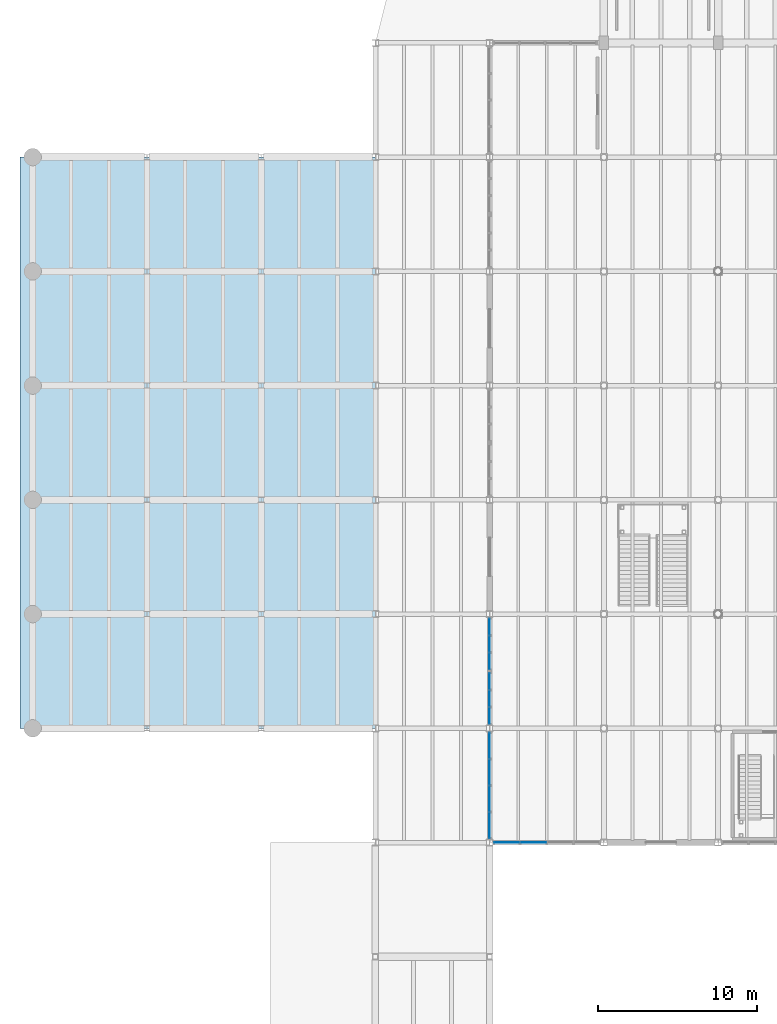
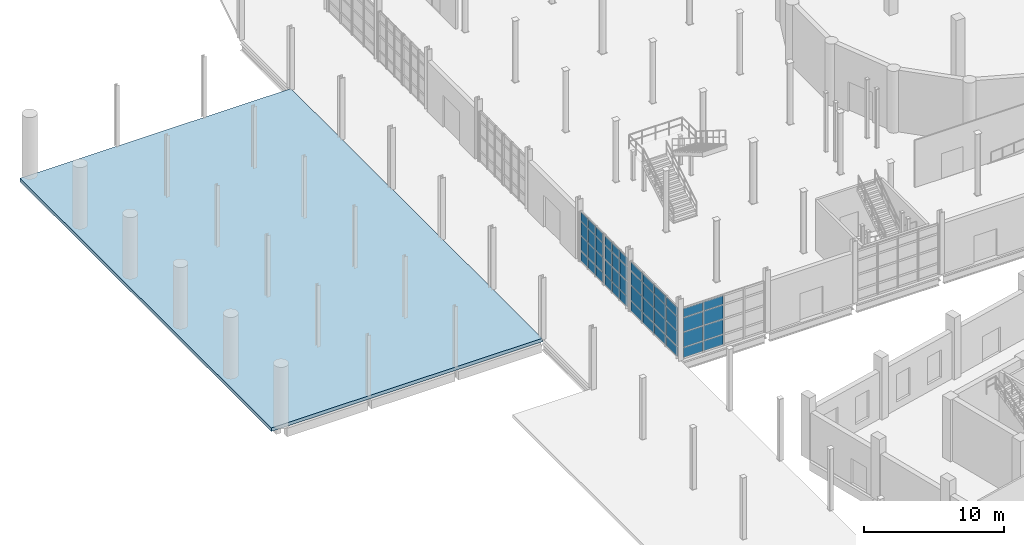
# One storey, part 48 of 79: 48 plates, 1 slab, 4 elements without a shape of their own.
"""IFC4 building model written with IfcOpenShell, lengths in metres."""

from ifc_helpers import new_model, si_unit, direction, frame, frame_2d, origin, place, context, subcontext, project, spatial, polyline, rectangle, outline, extrude, material, layer, layer_set, type_object, element, aggregate, save


model = new_model("IFC4")

# Units and contexts
model_context = context("Model", 3, precision=1e-05, world=origin(), true_north=direction((0.0, 1.0)))
body_context = subcontext(model_context, "Body", "Model", "MODEL_VIEW")
ifc_project = project(units=[si_unit("LENGTHUNIT", "METRE"), si_unit("AREAUNIT", "SQUARE_METRE"), si_unit("VOLUMEUNIT", "CUBIC_METRE"), si_unit("PLANEANGLEUNIT", "RADIAN"), si_unit("MASSUNIT", "GRAM", prefix="KILO")], contexts=[model_context])

# Site, building, storey
site_placement = place(None, origin())
site = spatial("IfcSite", under=ifc_project, at=site_placement, CompositionType="ELEMENT")
building_placement = place(site_placement, origin())
building = spatial("IfcBuilding", under=site, at=building_placement, Name="Qiaolan Assembly House", CompositionType="ELEMENT")
storey_placement = place(building_placement, origin())
storey = spatial("IfcBuildingStorey", under=building, at=storey_placement, Name="L00", CompositionType="ELEMENT", Elevation=0.0)

# Curtain wall, plates
ifc_material_1 = material(Name="Anodised bronze aluminium", Category="aluminium")
curtain_wall_type = type_object("IfcCurtainWallType", Name="CW-HALL-MAIN-540", PredefinedType="NOTDEFINED", material=ifc_material_1)
curtain_wall_1_placement = place(storey_placement, origin())
curtain_wall_1 = element("IfcCurtainWall", 1, at=curtain_wall_1_placement, inside=storey, type_object=curtain_wall_type, Name="CW-01 Hall West facade L00-0", PredefinedType="NOTDEFINED")
ifc_material_2 = material(Name="Low-E double insulating glass", Category="glass")
ifc_layer_1 = layer(ifc_material_2, 0.035888671875)
ifc_layer_set_1 = layer_set([ifc_layer_1], Name="Low-E double insulating glass")
plate_type = type_object("IfcPlateType", Name="CW-HALL-MAIN-540-PNL", PredefinedType="CURTAIN_PANEL", material=ifc_layer_set_1)
plate_1_placement = place(storey_placement, frame((28.800048828125, 36.2880859375, 0.06298828125), z_axis=(0.0, 0.0, 1.0), x_axis=(0.0, 1.0, 0.0)))
plate_1 = element("IfcPlate", 2, at=plate_1_placement, type_object=plate_type, Name="GL-01 glazing panel CW-HALL-W-L00-0-1", PredefinedType="CURTAIN_PANEL", context=body_context, shape_type="SweptSolid", body=[
    extrude(rectangle(XDim=1.598876953125, YDim=0.035888671875, at=frame_2d((0.79931640625, 0.0))), origin(), (0.0, 0.0, 1.0), 0.85400390625),
])
plate_2_placement = place(storey_placement, frame((28.800048828125, 36.2880859375, 0.98291015625), z_axis=(0.0, 0.0, 1.0), x_axis=(0.0, 1.0, 0.0)))
plate_2 = element("IfcPlate", 3, at=plate_2_placement, type_object=plate_type, Name="GL-01 glazing panel CW-HALL-W-L00-0-2", PredefinedType="CURTAIN_PANEL", context=body_context, shape_type="SweptSolid", body=[
    extrude(rectangle(XDim=1.598876953125, YDim=0.035888671875, at=frame_2d((0.79931640625, 0.0))), origin(), (0.0, 0.0, 1.0), 1.27197265625),
])
plate_3_placement = place(storey_placement, frame((28.800048828125, 36.2880859375, 2.321044921875), z_axis=(0.0, 0.0, 1.0), x_axis=(0.0, 1.0, 0.0)))
plate_3 = element("IfcPlate", 4, at=plate_3_placement, type_object=plate_type, Name="GL-01 glazing panel CW-HALL-W-L00-0-3", PredefinedType="CURTAIN_PANEL", context=body_context, shape_type="SweptSolid", body=[
    extrude(rectangle(XDim=1.598876953125, YDim=0.035888671875, at=frame_2d((0.79931640625, 0.0))), origin(), (0.0, 0.0, 1.0), 1.196044921875),
])
plate_4_placement = place(storey_placement, frame((28.800048828125, 36.2880859375, 3.5830078125), z_axis=(0.0, 0.0, 1.0), x_axis=(0.0, 1.0, 0.0)))
plate_4 = element("IfcPlate", 5, at=plate_4_placement, type_object=plate_type, Name="GL-01 glazing panel CW-HALL-W-L00-0-4", PredefinedType="CURTAIN_PANEL", context=body_context, shape_type="SweptSolid", body=[
    extrude(rectangle(XDim=1.598876953125, YDim=0.035888671875, at=frame_2d((0.79931640625, 0.0))), origin(), (0.0, 0.0, 1.0), 0.75390625),
])
plate_5_placement = place(storey_placement, frame((28.800048828125, 37.962890625, 0.06298828125), z_axis=(0.0, 0.0, 1.0), x_axis=(0.0, 1.0, 0.0)))
plate_5 = element("IfcPlate", 6, at=plate_5_placement, type_object=plate_type, Name="GL-01 glazing panel CW-HALL-W-L00-0-5", PredefinedType="CURTAIN_PANEL", context=body_context, shape_type="SweptSolid", body=[
    extrude(rectangle(XDim=1.59912109375, YDim=0.035888671875, at=frame_2d((0.799560546875, 0.0))), origin(), (0.0, 0.0, 1.0), 0.85400390625),
])
plate_6_placement = place(storey_placement, frame((28.800048828125, 37.962890625, 0.98291015625), z_axis=(0.0, 0.0, 1.0), x_axis=(0.0, 1.0, 0.0)))
plate_6 = element("IfcPlate", 7, at=plate_6_placement, type_object=plate_type, Name="GL-01 glazing panel CW-HALL-W-L00-0-6", PredefinedType="CURTAIN_PANEL", context=body_context, shape_type="SweptSolid", body=[
    extrude(rectangle(XDim=1.59912109375, YDim=0.035888671875, at=frame_2d((0.799560546875, 0.0))), origin(), (0.0, 0.0, 1.0), 1.27197265625),
])
plate_7_placement = place(storey_placement, frame((28.800048828125, 37.962890625, 2.321044921875), z_axis=(0.0, 0.0, 1.0), x_axis=(0.0, 1.0, 0.0)))
plate_7 = element("IfcPlate", 8, at=plate_7_placement, type_object=plate_type, Name="GL-01 glazing panel CW-HALL-W-L00-0-7", PredefinedType="CURTAIN_PANEL", context=body_context, shape_type="SweptSolid", body=[
    extrude(rectangle(XDim=1.59912109375, YDim=0.035888671875, at=frame_2d((0.799560546875, 0.0))), origin(), (0.0, 0.0, 1.0), 1.196044921875),
])
plate_8_placement = place(storey_placement, frame((28.800048828125, 37.962890625, 3.5830078125), z_axis=(0.0, 0.0, 1.0), x_axis=(0.0, 1.0, 0.0)))
plate_8 = element("IfcPlate", 9, at=plate_8_placement, type_object=plate_type, Name="GL-01 glazing panel CW-HALL-W-L00-0-8", PredefinedType="CURTAIN_PANEL", context=body_context, shape_type="SweptSolid", body=[
    extrude(rectangle(XDim=1.59912109375, YDim=0.035888671875, at=frame_2d((0.799560546875, 0.0))), origin(), (0.0, 0.0, 1.0), 0.75390625),
])
plate_9_placement = place(storey_placement, frame((28.800048828125, 39.637939453125, 0.06298828125), z_axis=(0.0, 0.0, 1.0), x_axis=(0.0, 1.0, 0.0)))
plate_9 = element("IfcPlate", 10, at=plate_9_placement, type_object=plate_type, Name="GL-01 glazing panel CW-HALL-W-L00-0-9", PredefinedType="CURTAIN_PANEL", context=body_context, shape_type="SweptSolid", body=[
    extrude(rectangle(XDim=1.59912109375, YDim=0.035888671875, at=frame_2d((0.799560546875, 0.0))), origin(), (0.0, 0.0, 1.0), 0.85400390625),
])
plate_10_placement = place(storey_placement, frame((28.800048828125, 39.637939453125, 0.98291015625), z_axis=(0.0, 0.0, 1.0), x_axis=(0.0, 1.0, 0.0)))
plate_10 = element("IfcPlate", 11, at=plate_10_placement, type_object=plate_type, Name="GL-01 glazing panel CW-HALL-W-L00-0-10", PredefinedType="CURTAIN_PANEL", context=body_context, shape_type="SweptSolid", body=[
    extrude(rectangle(XDim=1.59912109375, YDim=0.035888671875, at=frame_2d((0.799560546875, 0.0))), origin(), (0.0, 0.0, 1.0), 1.27197265625),
])
plate_11_placement = place(storey_placement, frame((28.800048828125, 39.637939453125, 2.321044921875), z_axis=(0.0, 0.0, 1.0), x_axis=(0.0, 1.0, 0.0)))
plate_11 = element("IfcPlate", 12, at=plate_11_placement, type_object=plate_type, Name="GL-01 glazing panel CW-HALL-W-L00-0-11", PredefinedType="CURTAIN_PANEL", context=body_context, shape_type="SweptSolid", body=[
    extrude(rectangle(XDim=1.59912109375, YDim=0.035888671875, at=frame_2d((0.799560546875, 0.0))), origin(), (0.0, 0.0, 1.0), 1.196044921875),
])
plate_12_placement = place(storey_placement, frame((28.800048828125, 39.637939453125, 3.5830078125), z_axis=(0.0, 0.0, 1.0), x_axis=(0.0, 1.0, 0.0)))
plate_12 = element("IfcPlate", 13, at=plate_12_placement, type_object=plate_type, Name="GL-01 glazing panel CW-HALL-W-L00-0-12", PredefinedType="CURTAIN_PANEL", context=body_context, shape_type="SweptSolid", body=[
    extrude(rectangle(XDim=1.59912109375, YDim=0.035888671875, at=frame_2d((0.799560546875, 0.0))), origin(), (0.0, 0.0, 1.0), 0.75390625),
])
plate_13_placement = place(storey_placement, frame((28.800048828125, 41.31298828125, 0.06298828125), z_axis=(0.0, 0.0, 1.0), x_axis=(0.0, 1.0, 0.0)))
plate_13 = element("IfcPlate", 14, at=plate_13_placement, type_object=plate_type, Name="GL-01 glazing panel CW-HALL-W-L00-0-13", PredefinedType="CURTAIN_PANEL", context=body_context, shape_type="SweptSolid", body=[
    extrude(rectangle(XDim=1.59912109375, YDim=0.035888671875, at=frame_2d((0.799560546875, 0.0))), origin(), (0.0, 0.0, 1.0), 0.85400390625),
])
plate_14_placement = place(storey_placement, frame((28.800048828125, 41.31298828125, 0.98291015625), z_axis=(0.0, 0.0, 1.0), x_axis=(0.0, 1.0, 0.0)))
plate_14 = element("IfcPlate", 15, at=plate_14_placement, type_object=plate_type, Name="GL-01 glazing panel CW-HALL-W-L00-0-14", PredefinedType="CURTAIN_PANEL", context=body_context, shape_type="SweptSolid", body=[
    extrude(rectangle(XDim=1.59912109375, YDim=0.035888671875, at=frame_2d((0.799560546875, 0.0))), origin(), (0.0, 0.0, 1.0), 1.27197265625),
])
plate_15_placement = place(storey_placement, frame((28.800048828125, 41.31298828125, 2.321044921875), z_axis=(0.0, 0.0, 1.0), x_axis=(0.0, 1.0, 0.0)))
plate_15 = element("IfcPlate", 16, at=plate_15_placement, type_object=plate_type, Name="GL-01 glazing panel CW-HALL-W-L00-0-15", PredefinedType="CURTAIN_PANEL", context=body_context, shape_type="SweptSolid", body=[
    extrude(rectangle(XDim=1.59912109375, YDim=0.035888671875, at=frame_2d((0.799560546875, 0.0))), origin(), (0.0, 0.0, 1.0), 1.196044921875),
])
plate_16_placement = place(storey_placement, frame((28.800048828125, 41.31298828125, 3.5830078125), z_axis=(0.0, 0.0, 1.0), x_axis=(0.0, 1.0, 0.0)))
plate_16 = element("IfcPlate", 17, at=plate_16_placement, type_object=plate_type, Name="GL-01 glazing panel CW-HALL-W-L00-0-16", PredefinedType="CURTAIN_PANEL", context=body_context, shape_type="SweptSolid", body=[
    extrude(rectangle(XDim=1.59912109375, YDim=0.035888671875, at=frame_2d((0.799560546875, 0.0))), origin(), (0.0, 0.0, 1.0), 0.75390625),
])
aggregate(curtain_wall_1, [plate_1, plate_2, plate_3, plate_4, plate_5, plate_6, plate_7, plate_8, plate_9, plate_10, plate_11, plate_12, plate_13, plate_14, plate_15, plate_16])

curtain_wall_2_placement = place(storey_placement, origin())
curtain_wall_2 = element("IfcCurtainWall", 18, at=curtain_wall_2_placement, inside=storey, type_object=curtain_wall_type, Name="CW-01 Hall West facade L00-1A", PredefinedType="NOTDEFINED")
plate_17_placement = place(storey_placement, frame((28.800048828125, 43.488037109375, 0.06298828125), z_axis=(0.0, 0.0, 1.0), x_axis=(0.0, 1.0, 0.0)))
plate_17 = element("IfcPlate", 19, at=plate_17_placement, type_object=plate_type, Name="GL-01 glazing panel CW-HALL-W-L00-1A-1", PredefinedType="CURTAIN_PANEL", context=body_context, shape_type="SweptSolid", body=[
    extrude(rectangle(XDim=1.013916015625, YDim=0.035888671875, at=frame_2d((0.5068359375, 0.0))), origin(), (0.0, 0.0, 1.0), 0.85400390625),
])
plate_18_placement = place(storey_placement, frame((28.800048828125, 43.488037109375, 0.98291015625), z_axis=(0.0, 0.0, 1.0), x_axis=(0.0, 1.0, 0.0)))
plate_18 = element("IfcPlate", 20, at=plate_18_placement, type_object=plate_type, Name="GL-01 glazing panel CW-HALL-W-L00-1A-2", PredefinedType="CURTAIN_PANEL", context=body_context, shape_type="SweptSolid", body=[
    extrude(rectangle(XDim=1.013916015625, YDim=0.035888671875, at=frame_2d((0.5068359375, 0.0))), origin(), (0.0, 0.0, 1.0), 1.27197265625),
])
plate_19_placement = place(storey_placement, frame((28.800048828125, 43.488037109375, 2.321044921875), z_axis=(0.0, 0.0, 1.0), x_axis=(0.0, 1.0, 0.0)))
plate_19 = element("IfcPlate", 21, at=plate_19_placement, type_object=plate_type, Name="GL-01 glazing panel CW-HALL-W-L00-1A-3", PredefinedType="CURTAIN_PANEL", context=body_context, shape_type="SweptSolid", body=[
    extrude(rectangle(XDim=1.013916015625, YDim=0.035888671875, at=frame_2d((0.5068359375, 0.0))), origin(), (0.0, 0.0, 1.0), 1.196044921875),
])
plate_20_placement = place(storey_placement, frame((28.800048828125, 43.488037109375, 3.5830078125), z_axis=(0.0, 0.0, 1.0), x_axis=(0.0, 1.0, 0.0)))
plate_20 = element("IfcPlate", 22, at=plate_20_placement, type_object=plate_type, Name="GL-01 glazing panel CW-HALL-W-L00-1A-4", PredefinedType="CURTAIN_PANEL", context=body_context, shape_type="SweptSolid", body=[
    extrude(rectangle(XDim=1.013916015625, YDim=0.035888671875, at=frame_2d((0.5068359375, 0.0))), origin(), (0.0, 0.0, 1.0), 0.75390625),
])
plate_21_placement = place(storey_placement, frame((28.800048828125, 44.577880859375, 0.06298828125), z_axis=(0.0, 0.0, 1.0), x_axis=(0.0, 1.0, 0.0)))
plate_21 = element("IfcPlate", 23, at=plate_21_placement, type_object=plate_type, Name="GL-01 glazing panel CW-HALL-W-L00-1A-5", PredefinedType="CURTAIN_PANEL", context=body_context, shape_type="SweptSolid", body=[
    extrude(rectangle(XDim=1.01416015625, YDim=0.035888671875, at=frame_2d((0.507080078125, 0.0))), origin(), (0.0, 0.0, 1.0), 0.85400390625),
])
plate_22_placement = place(storey_placement, frame((28.800048828125, 44.577880859375, 0.98291015625), z_axis=(0.0, 0.0, 1.0), x_axis=(0.0, 1.0, 0.0)))
plate_22 = element("IfcPlate", 24, at=plate_22_placement, type_object=plate_type, Name="GL-01 glazing panel CW-HALL-W-L00-1A-6", PredefinedType="CURTAIN_PANEL", context=body_context, shape_type="SweptSolid", body=[
    extrude(rectangle(XDim=1.01416015625, YDim=0.035888671875, at=frame_2d((0.507080078125, 0.0))), origin(), (0.0, 0.0, 1.0), 1.27197265625),
])
plate_23_placement = place(storey_placement, frame((28.800048828125, 44.577880859375, 2.321044921875), z_axis=(0.0, 0.0, 1.0), x_axis=(0.0, 1.0, 0.0)))
plate_23 = element("IfcPlate", 25, at=plate_23_placement, type_object=plate_type, Name="GL-01 glazing panel CW-HALL-W-L00-1A-7", PredefinedType="CURTAIN_PANEL", context=body_context, shape_type="SweptSolid", body=[
    extrude(rectangle(XDim=1.01416015625, YDim=0.035888671875, at=frame_2d((0.507080078125, 0.0))), origin(), (0.0, 0.0, 1.0), 1.196044921875),
])
plate_24_placement = place(storey_placement, frame((28.800048828125, 44.577880859375, 3.5830078125), z_axis=(0.0, 0.0, 1.0), x_axis=(0.0, 1.0, 0.0)))
plate_24 = element("IfcPlate", 26, at=plate_24_placement, type_object=plate_type, Name="GL-01 glazing panel CW-HALL-W-L00-1A-8", PredefinedType="CURTAIN_PANEL", context=body_context, shape_type="SweptSolid", body=[
    extrude(rectangle(XDim=1.01416015625, YDim=0.035888671875, at=frame_2d((0.507080078125, 0.0))), origin(), (0.0, 0.0, 1.0), 0.75390625),
])
plate_25_placement = place(storey_placement, frame((28.800048828125, 45.66796875, 0.06298828125), z_axis=(0.0, 0.0, 1.0), x_axis=(0.0, 1.0, 0.0)))
plate_25 = element("IfcPlate", 27, at=plate_25_placement, type_object=plate_type, Name="GL-01 glazing panel CW-HALL-W-L00-1A-9", PredefinedType="CURTAIN_PANEL", context=body_context, shape_type="SweptSolid", body=[
    extrude(rectangle(XDim=1.013916015625, YDim=0.035888671875, at=frame_2d((0.5068359375, 0.0))), origin(), (0.0, 0.0, 1.0), 0.85400390625),
])
plate_26_placement = place(storey_placement, frame((28.800048828125, 45.66796875, 0.98291015625), z_axis=(0.0, 0.0, 1.0), x_axis=(0.0, 1.0, 0.0)))
plate_26 = element("IfcPlate", 28, at=plate_26_placement, type_object=plate_type, Name="GL-01 glazing panel CW-HALL-W-L00-1A-10", PredefinedType="CURTAIN_PANEL", context=body_context, shape_type="SweptSolid", body=[
    extrude(rectangle(XDim=1.013916015625, YDim=0.035888671875, at=frame_2d((0.5068359375, 0.0))), origin(), (0.0, 0.0, 1.0), 1.27197265625),
])
plate_27_placement = place(storey_placement, frame((28.800048828125, 45.66796875, 2.321044921875), z_axis=(0.0, 0.0, 1.0), x_axis=(0.0, 1.0, 0.0)))
plate_27 = element("IfcPlate", 29, at=plate_27_placement, type_object=plate_type, Name="GL-01 glazing panel CW-HALL-W-L00-1A-11", PredefinedType="CURTAIN_PANEL", context=body_context, shape_type="SweptSolid", body=[
    extrude(rectangle(XDim=1.013916015625, YDim=0.035888671875, at=frame_2d((0.5068359375, 0.0))), origin(), (0.0, 0.0, 1.0), 1.196044921875),
])
plate_28_placement = place(storey_placement, frame((28.800048828125, 45.66796875, 3.5830078125), z_axis=(0.0, 0.0, 1.0), x_axis=(0.0, 1.0, 0.0)))
plate_28 = element("IfcPlate", 30, at=plate_28_placement, type_object=plate_type, Name="GL-01 glazing panel CW-HALL-W-L00-1A-12", PredefinedType="CURTAIN_PANEL", context=body_context, shape_type="SweptSolid", body=[
    extrude(rectangle(XDim=1.013916015625, YDim=0.035888671875, at=frame_2d((0.5068359375, 0.0))), origin(), (0.0, 0.0, 1.0), 0.75390625),
])
aggregate(curtain_wall_2, [plate_17, plate_18, plate_19, plate_20, plate_21, plate_22, plate_23, plate_24, plate_25, plate_26, plate_27, plate_28])

curtain_wall_3_placement = place(storey_placement, origin())
curtain_wall_3 = element("IfcCurtainWall", 31, at=curtain_wall_3_placement, inside=storey, type_object=curtain_wall_type, Name="CW-01 Hall West facade L00-1B", PredefinedType="NOTDEFINED")
plate_29_placement = place(storey_placement, frame((28.800048828125, 46.91796875, 0.06298828125), z_axis=(0.0, 0.0, 1.0), x_axis=(0.0, 1.0, 0.0)))
plate_29 = element("IfcPlate", 32, at=plate_29_placement, type_object=plate_type, Name="GL-01 glazing panel CW-HALL-W-L00-1B-1", PredefinedType="CURTAIN_PANEL", context=body_context, shape_type="SweptSolid", body=[
    extrude(rectangle(XDim=1.013916015625, YDim=0.035888671875, at=frame_2d((0.5068359375, 0.0))), origin(), (0.0, 0.0, 1.0), 0.85400390625),
])
plate_30_placement = place(storey_placement, frame((28.800048828125, 46.91796875, 0.98291015625), z_axis=(0.0, 0.0, 1.0), x_axis=(0.0, 1.0, 0.0)))
plate_30 = element("IfcPlate", 33, at=plate_30_placement, type_object=plate_type, Name="GL-01 glazing panel CW-HALL-W-L00-1B-2", PredefinedType="CURTAIN_PANEL", context=body_context, shape_type="SweptSolid", body=[
    extrude(rectangle(XDim=1.013916015625, YDim=0.035888671875, at=frame_2d((0.5068359375, 0.0))), origin(), (0.0, 0.0, 1.0), 1.27197265625),
])
plate_31_placement = place(storey_placement, frame((28.800048828125, 46.91796875, 2.321044921875), z_axis=(0.0, 0.0, 1.0), x_axis=(0.0, 1.0, 0.0)))
plate_31 = element("IfcPlate", 34, at=plate_31_placement, type_object=plate_type, Name="GL-01 glazing panel CW-HALL-W-L00-1B-3", PredefinedType="CURTAIN_PANEL", context=body_context, shape_type="SweptSolid", body=[
    extrude(rectangle(XDim=1.013916015625, YDim=0.035888671875, at=frame_2d((0.5068359375, 0.0))), origin(), (0.0, 0.0, 1.0), 1.196044921875),
])
plate_32_placement = place(storey_placement, frame((28.800048828125, 46.91796875, 3.5830078125), z_axis=(0.0, 0.0, 1.0), x_axis=(0.0, 1.0, 0.0)))
plate_32 = element("IfcPlate", 35, at=plate_32_placement, type_object=plate_type, Name="GL-01 glazing panel CW-HALL-W-L00-1B-4", PredefinedType="CURTAIN_PANEL", context=body_context, shape_type="SweptSolid", body=[
    extrude(rectangle(XDim=1.013916015625, YDim=0.035888671875, at=frame_2d((0.5068359375, 0.0))), origin(), (0.0, 0.0, 1.0), 0.75390625),
])
plate_33_placement = place(storey_placement, frame((28.800048828125, 48.008056640625, 0.06298828125), z_axis=(0.0, 0.0, 1.0), x_axis=(0.0, 1.0, 0.0)))
plate_33 = element("IfcPlate", 36, at=plate_33_placement, type_object=plate_type, Name="GL-01 glazing panel CW-HALL-W-L00-1B-5", PredefinedType="CURTAIN_PANEL", context=body_context, shape_type="SweptSolid", body=[
    extrude(rectangle(XDim=1.013916015625, YDim=0.035888671875, at=frame_2d((0.5068359375, 0.0))), origin(), (0.0, 0.0, 1.0), 0.85400390625),
])
plate_34_placement = place(storey_placement, frame((28.800048828125, 48.008056640625, 0.98291015625), z_axis=(0.0, 0.0, 1.0), x_axis=(0.0, 1.0, 0.0)))
plate_34 = element("IfcPlate", 37, at=plate_34_placement, type_object=plate_type, Name="GL-01 glazing panel CW-HALL-W-L00-1B-6", PredefinedType="CURTAIN_PANEL", context=body_context, shape_type="SweptSolid", body=[
    extrude(rectangle(XDim=1.013916015625, YDim=0.035888671875, at=frame_2d((0.5068359375, 0.0))), origin(), (0.0, 0.0, 1.0), 1.27197265625),
])
plate_35_placement = place(storey_placement, frame((28.800048828125, 48.008056640625, 2.321044921875), z_axis=(0.0, 0.0, 1.0), x_axis=(0.0, 1.0, 0.0)))
plate_35 = element("IfcPlate", 38, at=plate_35_placement, type_object=plate_type, Name="GL-01 glazing panel CW-HALL-W-L00-1B-7", PredefinedType="CURTAIN_PANEL", context=body_context, shape_type="SweptSolid", body=[
    extrude(rectangle(XDim=1.013916015625, YDim=0.035888671875, at=frame_2d((0.5068359375, 0.0))), origin(), (0.0, 0.0, 1.0), 1.196044921875),
])
plate_36_placement = place(storey_placement, frame((28.800048828125, 48.008056640625, 3.5830078125), z_axis=(0.0, 0.0, 1.0), x_axis=(0.0, 1.0, 0.0)))
plate_36 = element("IfcPlate", 39, at=plate_36_placement, type_object=plate_type, Name="GL-01 glazing panel CW-HALL-W-L00-1B-8", PredefinedType="CURTAIN_PANEL", context=body_context, shape_type="SweptSolid", body=[
    extrude(rectangle(XDim=1.013916015625, YDim=0.035888671875, at=frame_2d((0.5068359375, 0.0))), origin(), (0.0, 0.0, 1.0), 0.75390625),
])
plate_37_placement = place(storey_placement, frame((28.800048828125, 49.097900390625, 0.06298828125), z_axis=(0.0, 0.0, 1.0), x_axis=(0.0, 1.0, 0.0)))
plate_37 = element("IfcPlate", 40, at=plate_37_placement, type_object=plate_type, Name="GL-01 glazing panel CW-HALL-W-L00-1B-9", PredefinedType="CURTAIN_PANEL", context=body_context, shape_type="SweptSolid", body=[
    extrude(rectangle(XDim=1.01416015625, YDim=0.035888671875, at=frame_2d((0.507080078125, 0.0))), origin(), (0.0, 0.0, 1.0), 0.85400390625),
])
plate_38_placement = place(storey_placement, frame((28.800048828125, 49.097900390625, 0.98291015625), z_axis=(0.0, 0.0, 1.0), x_axis=(0.0, 1.0, 0.0)))
plate_38 = element("IfcPlate", 41, at=plate_38_placement, type_object=plate_type, Name="GL-01 glazing panel CW-HALL-W-L00-1B-10", PredefinedType="CURTAIN_PANEL", context=body_context, shape_type="SweptSolid", body=[
    extrude(rectangle(XDim=1.01416015625, YDim=0.035888671875, at=frame_2d((0.507080078125, 0.0))), origin(), (0.0, 0.0, 1.0), 1.27197265625),
])
plate_39_placement = place(storey_placement, frame((28.800048828125, 49.097900390625, 2.321044921875), z_axis=(0.0, 0.0, 1.0), x_axis=(0.0, 1.0, 0.0)))
plate_39 = element("IfcPlate", 42, at=plate_39_placement, type_object=plate_type, Name="GL-01 glazing panel CW-HALL-W-L00-1B-11", PredefinedType="CURTAIN_PANEL", context=body_context, shape_type="SweptSolid", body=[
    extrude(rectangle(XDim=1.01416015625, YDim=0.035888671875, at=frame_2d((0.507080078125, 0.0))), origin(), (0.0, 0.0, 1.0), 1.196044921875),
])
plate_40_placement = place(storey_placement, frame((28.800048828125, 49.097900390625, 3.5830078125), z_axis=(0.0, 0.0, 1.0), x_axis=(0.0, 1.0, 0.0)))
plate_40 = element("IfcPlate", 43, at=plate_40_placement, type_object=plate_type, Name="GL-01 glazing panel CW-HALL-W-L00-1B-12", PredefinedType="CURTAIN_PANEL", context=body_context, shape_type="SweptSolid", body=[
    extrude(rectangle(XDim=1.01416015625, YDim=0.035888671875, at=frame_2d((0.507080078125, 0.0))), origin(), (0.0, 0.0, 1.0), 0.75390625),
])
aggregate(curtain_wall_3, [plate_29, plate_30, plate_31, plate_32, plate_33, plate_34, plate_35, plate_36, plate_37, plate_38, plate_39, plate_40])

curtain_wall_4_placement = place(storey_placement, origin())
curtain_wall_4 = element("IfcCurtainWall", 44, at=curtain_wall_4_placement, inside=storey, type_object=curtain_wall_type, Name="CW-01 Hall South plaza curtain wall L00-1", PredefinedType="NOTDEFINED")
plate_41_placement = place(storey_placement, frame((29.087890625, 36.0, 0.06298828125), z_axis=(0.0, 0.0, 1.0), x_axis=(1.0, 0.0, 0.0)))
plate_41 = element("IfcPlate", 45, at=plate_41_placement, type_object=plate_type, Name="GL-01 glazing panel CW-HALL-S-L00-00-1", PredefinedType="CURTAIN_PANEL", context=body_context, shape_type="SweptSolid", body=[
    extrude(rectangle(XDim=1.59912109375, YDim=0.035888671875, at=frame_2d((0.799560546875, 0.0))), origin(), (0.0, 0.0, 1.0), 0.85400390625),
])
plate_42_placement = place(storey_placement, frame((29.087890625, 36.0, 0.98291015625), z_axis=(0.0, 0.0, 1.0), x_axis=(1.0, 0.0, 0.0)))
plate_42 = element("IfcPlate", 46, at=plate_42_placement, type_object=plate_type, Name="GL-01 glazing panel CW-HALL-S-L00-00-2", PredefinedType="CURTAIN_PANEL", context=body_context, shape_type="SweptSolid", body=[
    extrude(rectangle(XDim=1.59912109375, YDim=0.035888671875, at=frame_2d((0.799560546875, 0.0))), origin(), (0.0, 0.0, 1.0), 1.27197265625),
])
plate_43_placement = place(storey_placement, frame((29.087890625, 36.0, 2.321044921875), z_axis=(0.0, 0.0, 1.0), x_axis=(1.0, 0.0, 0.0)))
plate_43 = element("IfcPlate", 47, at=plate_43_placement, type_object=plate_type, Name="GL-01 glazing panel CW-HALL-S-L00-00-3", PredefinedType="CURTAIN_PANEL", context=body_context, shape_type="SweptSolid", body=[
    extrude(rectangle(XDim=1.59912109375, YDim=0.035888671875, at=frame_2d((0.799560546875, 0.0))), origin(), (0.0, 0.0, 1.0), 1.196044921875),
])
plate_44_placement = place(storey_placement, frame((29.087890625, 36.0, 3.5830078125), z_axis=(0.0, 0.0, 1.0), x_axis=(1.0, 0.0, 0.0)))
plate_44 = element("IfcPlate", 48, at=plate_44_placement, type_object=plate_type, Name="GL-01 glazing panel CW-HALL-S-L00-00-4", PredefinedType="CURTAIN_PANEL", context=body_context, shape_type="SweptSolid", body=[
    extrude(rectangle(XDim=1.59912109375, YDim=0.035888671875, at=frame_2d((0.799560546875, 0.0))), origin(), (0.0, 0.0, 1.0), 0.75390625),
])
plate_45_placement = place(storey_placement, frame((30.762939453125, 36.0, 0.06298828125), z_axis=(0.0, 0.0, 1.0), x_axis=(1.0, 0.0, 0.0)))
plate_45 = element("IfcPlate", 49, at=plate_45_placement, type_object=plate_type, Name="GL-01 glazing panel CW-HALL-S-L00-00-5", PredefinedType="CURTAIN_PANEL", context=body_context, shape_type="SweptSolid", body=[
    extrude(rectangle(XDim=1.59912109375, YDim=0.035888671875, at=frame_2d((0.799560546875, 0.0))), origin(), (0.0, 0.0, 1.0), 0.85400390625),
])
plate_46_placement = place(storey_placement, frame((30.762939453125, 36.0, 0.98291015625), z_axis=(0.0, 0.0, 1.0), x_axis=(1.0, 0.0, 0.0)))
plate_46 = element("IfcPlate", 50, at=plate_46_placement, type_object=plate_type, Name="GL-01 glazing panel CW-HALL-S-L00-00-6", PredefinedType="CURTAIN_PANEL", context=body_context, shape_type="SweptSolid", body=[
    extrude(rectangle(XDim=1.59912109375, YDim=0.035888671875, at=frame_2d((0.799560546875, 0.0))), origin(), (0.0, 0.0, 1.0), 1.27197265625),
])
plate_47_placement = place(storey_placement, frame((30.762939453125, 36.0, 2.321044921875), z_axis=(0.0, 0.0, 1.0), x_axis=(1.0, 0.0, 0.0)))
plate_47 = element("IfcPlate", 51, at=plate_47_placement, type_object=plate_type, Name="GL-01 glazing panel CW-HALL-S-L00-00-7", PredefinedType="CURTAIN_PANEL", context=body_context, shape_type="SweptSolid", body=[
    extrude(rectangle(XDim=1.59912109375, YDim=0.035888671875, at=frame_2d((0.799560546875, 0.0))), origin(), (0.0, 0.0, 1.0), 1.196044921875),
])
plate_48_placement = place(storey_placement, frame((30.762939453125, 36.0, 3.5830078125), z_axis=(0.0, 0.0, 1.0), x_axis=(1.0, 0.0, 0.0)))
plate_48 = element("IfcPlate", 52, at=plate_48_placement, type_object=plate_type, Name="GL-01 glazing panel CW-HALL-S-L00-00-8", PredefinedType="CURTAIN_PANEL", context=body_context, shape_type="SweptSolid", body=[
    extrude(rectangle(XDim=1.59912109375, YDim=0.035888671875, at=frame_2d((0.799560546875, 0.0))), origin(), (0.0, 0.0, 1.0), 0.75390625),
])
aggregate(curtain_wall_4, [plate_41, plate_42, plate_43, plate_44, plate_45, plate_46, plate_47, plate_48])

# Slab
ifc_material_3 = material(Name="Concrete C45/55", Category="concrete")
ifc_layer_2 = layer(ifc_material_3, 0.300048828125)
ifc_layer_set_2 = layer_set([ifc_layer_2], Name="Concrete C45/55")
slab_type = type_object("IfcSlabType", Name="SLB-HALL-300", PredefinedType="FLOOR", material=ifc_layer_set_2)
slab_placement = place(storey_placement, frame((0.0, 0.0, -0.300048828125)))
element("IfcSlab", 53, at=slab_placement, inside=storey, type_object=slab_type, Name="FS-02 West Civic Forecourt Portico Plinth Slab L00", PredefinedType="FLOOR", context=body_context, shape_type="SweptSolid", body=[
    extrude(outline(polyline([(-0.800048828125, 43.199951171875), (21.60009765625, 43.199951171875), (21.60009765625, 79.199951171875), (-0.800048828125, 79.199951171875), (-0.800048828125, 43.199951171875)])), origin(), (0.0, 0.0, 1.0), 0.300048828125),
])

save(model, "model.ifc")
